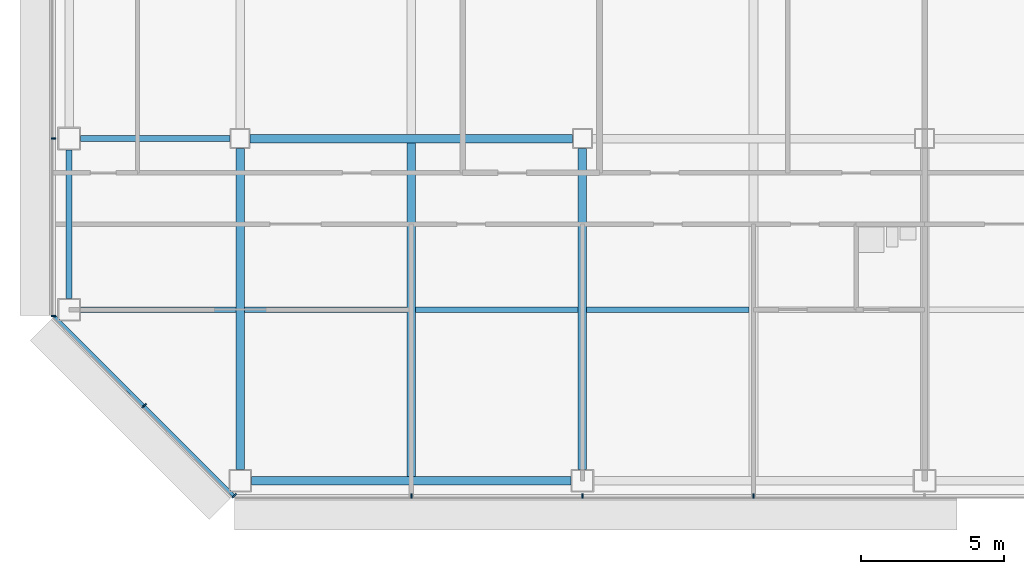
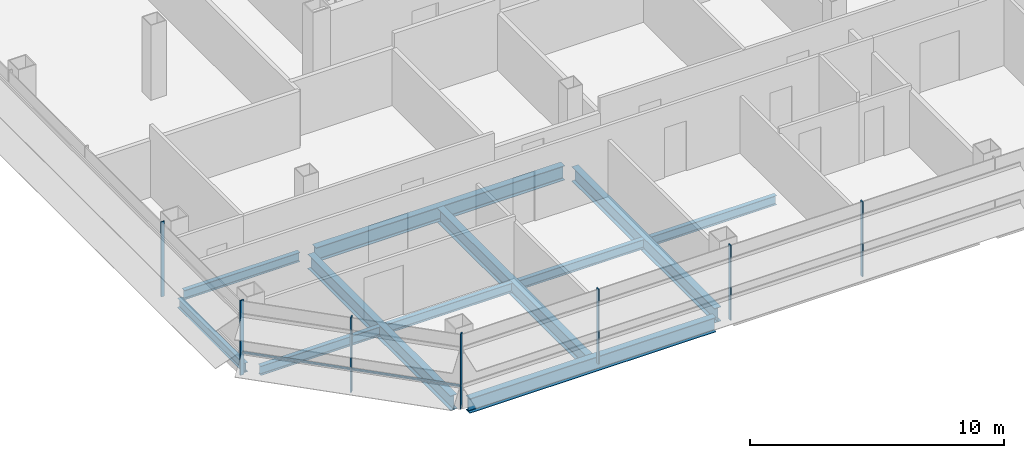
# One storey, part 2 of 25: 11 beams, 8 members, 3 elements without a shape of their own.
"""IFC4 building model written with IfcOpenShell, lengths in metres."""

from ifc_helpers import new_model, si_unit, direction, frame, origin, origin_2d, place, context, subcontext, project, spatial, rectangle, i_section, extrude, material, material_profile, profile_set, type_object, element, aggregate, save


model = new_model("IFC4")

# Units and contexts
model_context = context("Model", 3, precision=1e-05, world=origin(), true_north=direction((0.0, 1.0)))
body_context = subcontext(model_context, "Body", "Model", "MODEL_VIEW")
ifc_project = project(units=[si_unit("LENGTHUNIT", "METRE"), si_unit("AREAUNIT", "SQUARE_METRE"), si_unit("VOLUMEUNIT", "CUBIC_METRE"), si_unit("PLANEANGLEUNIT", "RADIAN"), si_unit("MASSUNIT", "GRAM", prefix="KILO")], contexts=[model_context])

# Site, building, storey
site_placement = place(None, origin())
site = spatial("IfcSite", under=ifc_project, at=site_placement, CompositionType="ELEMENT")
building_placement = place(site_placement, origin())
building = spatial("IfcBuilding", under=site, at=building_placement, Name="Sorahane Residences", CompositionType="ELEMENT")
storey_placement = place(building_placement, frame((0.0, 0.0, 99.800048828125)))
storey = spatial("IfcBuildingStorey", under=building, at=storey_placement, Name="L21", CompositionType="ELEMENT", Elevation=99.800048828125)

# Curtain wall, members
ifc_material_1 = material(Name="Dark low-e glass and black anodised aluminium", Category="aluminium")
curtain_wall_type_1 = type_object("IfcCurtainWallType", Name="Curtain wall CW-1 Typical unitised wall", PredefinedType="NOTDEFINED", material=ifc_material_1)
curtain_wall_1_placement = place(storey_placement, origin())
curtain_wall_1 = element("IfcCurtainWall", 1, at=curtain_wall_1_placement, inside=storey, type_object=curtain_wall_type_1, Name="CW-1 curtain wall L21 S1", PredefinedType="NOTDEFINED")
ifc_material_2 = material(Name="Black anodised aluminium", Category="aluminium")
ifc_material_profile_1 = material_profile(ifc_material_2, rectangle(XDim=0.159912109375, YDim=0.050048828125, at=origin_2d()), Name="Curtain wall mullion CW-1 black anodised aluminium 50x160")
ifc_profile_set_1 = profile_set([ifc_material_profile_1], Name="Black anodised aluminium")
member_type_1 = type_object("IfcMemberType", Name="Curtain wall mullion CW-1 black anodised aluminium 50x160", PredefinedType="MULLION", material=ifc_profile_set_1)
member_1_placement = place(storey_placement, frame((6.0, -0.5400390625, -0.179931640625), z_axis=(0.0, 0.0, 1.0), x_axis=(0.0, -1.0, 0.0)))
member_1 = element("IfcMember", 2, at=member_1_placement, type_object=member_type_1, Name="CW-1 mullion L21 S1.2", PredefinedType="MULLION", context=body_context, shape_type="SweptSolid", body=[
    extrude(rectangle(XDim=0.159912109375, YDim=0.050048828125, at=origin_2d()), origin(), (0.0, 0.0, 1.0), 3.599853515625),
])
member_2_placement = place(storey_placement, frame((12.0, -0.5400390625, -0.179931640625), z_axis=(0.0, 0.0, 1.0), x_axis=(0.0, -1.0, 0.0)))
member_2 = element("IfcMember", 3, at=member_2_placement, type_object=member_type_1, Name="CW-1 mullion L21 S1.3", PredefinedType="MULLION", context=body_context, shape_type="SweptSolid", body=[
    extrude(rectangle(XDim=0.159912109375, YDim=0.050048828125, at=origin_2d()), origin(), (0.0, 0.0, 1.0), 3.599853515625),
])
member_3_placement = place(storey_placement, frame((18.0, -0.5400390625, -0.179931640625), z_axis=(0.0, 0.0, 1.0), x_axis=(0.0, -1.0, 0.0)))
member_3 = element("IfcMember", 4, at=member_3_placement, type_object=member_type_1, Name="CW-1 mullion L21 S1.4", PredefinedType="MULLION", context=body_context, shape_type="SweptSolid", body=[
    extrude(rectangle(XDim=0.159912109375, YDim=0.050048828125, at=origin_2d()), origin(), (0.0, 0.0, 1.0), 3.599853515625),
])
aggregate(curtain_wall_1, [member_1, member_2, member_3])

curtain_wall_2_placement = place(storey_placement, origin())
curtain_wall_2 = element("IfcCurtainWall", 5, at=curtain_wall_2_placement, inside=storey, type_object=curtain_wall_type_1, Name="CW-1 curtain wall L21 W1", PredefinedType="NOTDEFINED")
member_4_placement = place(storey_placement, frame((-6.5400390625, 12.0, -0.179931640625), z_axis=(0.0, 0.0, 1.0), x_axis=(-1.0, 0.0, 0.0)))
member_4 = element("IfcMember", 6, at=member_4_placement, type_object=member_type_1, Name="CW-1 mullion L21 W1.6", PredefinedType="MULLION", context=body_context, shape_type="SweptSolid", body=[
    extrude(rectangle(XDim=0.159912109375, YDim=0.050048828125, at=origin_2d()), origin(), (0.0, 0.0, 1.0), 3.599853515625),
])
member_5_placement = place(storey_placement, frame((-6.5400390625, 5.7763671875, -0.179931640625), z_axis=(0.0, 0.0, 1.0), x_axis=(-1.0, 0.0, 0.0)))
member_5 = element("IfcMember", 7, at=member_5_placement, type_object=member_type_1, Name="CW-1 mullion L21 W1.7", PredefinedType="MULLION", context=body_context, shape_type="SweptSolid", body=[
    extrude(rectangle(XDim=0.159912109375, YDim=0.050048828125, at=origin_2d()), origin(), (0.0, 0.0, 1.0), 3.599853515625),
])
aggregate(curtain_wall_2, [member_4, member_5])

ifc_material_3 = material(Name="Dark low-e glass and black anodised aluminium", Category="aluminium")
curtain_wall_type_2 = type_object("IfcCurtainWallType", Name="Curtain wall CW-2 Chamfer unitised wall", PredefinedType="NOTDEFINED", material=ifc_material_3)
curtain_wall_3_placement = place(storey_placement, origin())
curtain_wall_3 = element("IfcCurtainWall", 8, at=curtain_wall_3_placement, inside=storey, type_object=curtain_wall_type_2, Name="CW-2 curtain wall L21 SW1", PredefinedType="NOTDEFINED")
ifc_material_4 = material(Name="Black anodised aluminium", Category="aluminium")
ifc_material_profile_2 = material_profile(ifc_material_4, rectangle(XDim=0.199951171875, YDim=0.050048828125, at=origin_2d()), Name="Curtain wall mullion CW-2 black anodised aluminium 50x200")
ifc_profile_set_2 = profile_set([ifc_material_profile_2], Name="Black anodised aluminium")
member_type_2 = type_object("IfcMemberType", Name="Curtain wall mullion CW-2 black anodised aluminium 50x200", PredefinedType="MULLION", material=ifc_profile_set_2)
member_6_placement = place(storey_placement, frame((-3.36767578125, 2.63232421875, -0.179931640625), z_axis=(0.0, 0.0, 1.0), x_axis=(-0.707106781187, -0.707106781187, 0.0)))
member_6 = element("IfcMember", 9, at=member_6_placement, type_object=member_type_2, Name="CW-2 mullion L21 SW1.2", PredefinedType="MULLION", context=body_context, shape_type="SweptSolid", body=[
    extrude(rectangle(XDim=0.199951171875, YDim=0.050048828125, at=origin_2d()), origin(), (0.0, 0.0, 1.0), 3.599853515625),
])
member_7_placement = place(storey_placement, frame((-0.209716796875, -0.525634765625, -0.179931640625), z_axis=(0.0, 0.0, 1.0), x_axis=(-0.707106781187, -0.707106781187, 0.0)))
member_7 = element("IfcMember", 10, at=member_7_placement, type_object=member_type_2, Name="CW-2 mullion L21 SW1.3", PredefinedType="MULLION", context=body_context, shape_type="SweptSolid", body=[
    extrude(rectangle(XDim=0.199951171875, YDim=0.050048828125, at=origin_2d()), origin(), (0.0, 0.0, 1.0), 3.599853515625),
])
ifc_material_5 = material(Name="Black anodised aluminium", Category="aluminium")
ifc_material_profile_3 = material_profile(ifc_material_5, rectangle(XDim=0.10009765625, YDim=0.06005859375, at=origin_2d()), Name="Curtain wall transom CW-2 black anodised aluminium 60x100")
ifc_profile_set_3 = profile_set([ifc_material_profile_3], Name="Black anodised aluminium")
member_type_3 = type_object("IfcMemberType", Name="Curtain wall transom CW-2 black anodised aluminium 60x100", PredefinedType="USERDEFINED", material=ifc_profile_set_3)
member_8_placement = place(storey_placement, frame((-6.51513671875, 5.765625, 0.89990234375), z_axis=(0.707106781187, -0.707106781187, 0.0), x_axis=(0.707106781187, 0.707106781187, 0.0)))
member_8 = element("IfcMember", 11, at=member_8_placement, type_object=member_type_3, Name="CW-2 transom L21 SW1", ObjectType="TRANSOM", PredefinedType="USERDEFINED", context=body_context, shape_type="SweptSolid", body=[
    extrude(rectangle(XDim=0.10009765625, YDim=0.06005859375, at=origin_2d()), origin(), (0.0, 0.0, 1.0), 8.88232421875),
])
aggregate(curtain_wall_3, [member_6, member_7, member_8])

# Beams
ifc_material_6 = material(Name="Steel Q355B", Category="steel")
ifc_material_profile_4 = material_profile(ifc_material_6, i_section(OverallWidth=0.199951171875, OverallDepth=0.449951171875, WebThickness=0.009033203125, FlangeThickness=0.013916015625, FilletRadius=0.02001953125, at=origin_2d()), Name="HN 450x200x9x14")
ifc_profile_set_4 = profile_set([ifc_material_profile_4], Name="Steel Q355B")
beam_type_1 = type_object("IfcBeamType", Name="Steel floor beam HN 450x200x9x14 Q355B", PredefinedType="BEAM", material=ifc_profile_set_4)
beam_1_placement = place(storey_placement, frame((-5.60009765625, 12.0, -0.405029296875), z_axis=(1.0, 0.0, 0.0), x_axis=(0.0, 1.0, 0.0)))
element("IfcBeam", 12, at=beam_1_placement, inside=storey, type_object=beam_type_1, Name="Beam L21 005", PredefinedType="BEAM", context=body_context, shape_type="SweptSolid", body=[
    extrude(i_section(OverallWidth=0.199951171875, OverallDepth=0.449951171875, WebThickness=0.009033203125, FlangeThickness=0.013916015625, FilletRadius=0.02001953125, at=origin_2d()), origin(), (0.0, 0.0, 1.0), 5.25),
])
beam_2_placement = place(storey_placement, frame((-6.0, 6.39990234375, -0.405029296875), z_axis=(0.0, 1.0, 0.0), x_axis=(-1.0, 0.0, 0.0)))
element("IfcBeam", 13, at=beam_2_placement, inside=storey, type_object=beam_type_1, Name="Beam L21 020", PredefinedType="BEAM", context=body_context, shape_type="SweptSolid", body=[
    extrude(i_section(OverallWidth=0.199951171875, OverallDepth=0.449951171875, WebThickness=0.009033203125, FlangeThickness=0.013916015625, FilletRadius=0.02001953125, at=origin_2d()), origin(), (0.0, 0.0, 1.0), 5.2001953125),
])
beam_3_placement = place(storey_placement, frame((-5.60009765625, 6.0, -0.405029296875), z_axis=(1.0, 0.0, 0.0), x_axis=(0.0, 1.0, 0.0)))
element("IfcBeam", 14, at=beam_3_placement, inside=storey, type_object=beam_type_1, Name="Beam L21 068", PredefinedType="BEAM", context=body_context, shape_type="SweptSolid", body=[
    extrude(i_section(OverallWidth=0.199951171875, OverallDepth=0.449951171875, WebThickness=0.009033203125, FlangeThickness=0.013916015625, FilletRadius=0.02001953125, at=origin_2d()), origin(), (0.0, 0.0, 1.0), 5.4501953125),
])
for number, where, z_axis, x_axis, name in (
    (15, (0.14990234375, 6.0, -0.405029296875), (1.0, 0.0, 0.0), (0.0, 1.0, 0.0), "Beam L21 069"),
    (16, (6.14990234375, 6.0, -0.405029296875), (1.0, 0.0, 0.0), (0.0, 1.0, 0.0), "Beam L21 070"),
    (17, (12.14990234375, 6.0, -0.405029296875), (1.0, 0.0, 0.0), (0.0, 1.0, 0.0), "Beam L21 071"),
):
    element("IfcBeam", number, at=place(storey_placement, frame(where, z_axis=z_axis, x_axis=x_axis)), inside=storey, type_object=beam_type_1, Name=name, PredefinedType="BEAM", context=body_context, shape_type="SweptSolid", body=[
        extrude(i_section(OverallWidth=0.199951171875, OverallDepth=0.449951171875, WebThickness=0.009033203125, FlangeThickness=0.013916015625, FilletRadius=0.02001953125, at=origin_2d()), origin(), (0.0, 0.0, 1.0), 5.7001953125),
    ])
ifc_material_7 = material(Name="Steel Q355B", Category="steel")
ifc_material_profile_5 = material_profile(ifc_material_7, i_section(OverallWidth=0.300048828125, OverallDepth=0.699951171875, WebThickness=0.012939453125, FlangeThickness=0.02392578125, FilletRadius=0.028076171875, at=origin_2d()), Name="HN 700x300x13x24")
ifc_profile_set_5 = profile_set([ifc_material_profile_5], Name="Steel Q355B")
beam_type_2 = type_object("IfcBeamType", Name="Steel floor beam HN 700x300x13x24 Q355B", PredefinedType="BEAM", material=ifc_profile_set_5)
beam_4_placement = place(storey_placement, frame((0.39990234375, 0.0, -0.530029296875), z_axis=(1.0, 0.0, 0.0), x_axis=(0.0, 1.0, 0.0)))
element("IfcBeam", 18, at=beam_4_placement, inside=storey, type_object=beam_type_2, Name="Beam L21 000", PredefinedType="BEAM", context=body_context, shape_type="SweptSolid", body=[
    extrude(i_section(OverallWidth=0.300048828125, OverallDepth=0.699951171875, WebThickness=0.012939453125, FlangeThickness=0.02392578125, FilletRadius=0.028076171875, at=origin_2d()), origin(), (0.0, 0.0, 1.0), 11.2001953125),
])
beam_5_placement = place(storey_placement, frame((0.35009765625, 12.0, -0.530029296875), z_axis=(1.0, 0.0, 0.0), x_axis=(0.0, 1.0, 0.0)))
element("IfcBeam", 19, at=beam_5_placement, inside=storey, type_object=beam_type_2, Name="Beam L21 006", PredefinedType="BEAM", context=body_context, shape_type="SweptSolid", body=[
    extrude(i_section(OverallWidth=0.300048828125, OverallDepth=0.699951171875, WebThickness=0.012939453125, FlangeThickness=0.02392578125, FilletRadius=0.028076171875, at=origin_2d()), origin(), (0.0, 0.0, 1.0), 11.2998046875),
])
beam_6_placement = place(storey_placement, frame((0.0, 0.39990234375, -0.530029296875), z_axis=(0.0, 1.0, 0.0), x_axis=(-1.0, 0.0, 0.0)))
element("IfcBeam", 20, at=beam_6_placement, inside=storey, type_object=beam_type_2, Name="Beam L21 024", PredefinedType="BEAM", context=body_context, shape_type="SweptSolid", body=[
    extrude(i_section(OverallWidth=0.300048828125, OverallDepth=0.699951171875, WebThickness=0.012939453125, FlangeThickness=0.02392578125, FilletRadius=0.028076171875, at=origin_2d()), origin(), (0.0, 0.0, 1.0), 11.25),
])
beam_7_placement = place(storey_placement, frame((6.0, 0.14990234375, -0.530029296875), z_axis=(0.0, 1.0, 0.0), x_axis=(-1.0, 0.0, 0.0)))
element("IfcBeam", 21, at=beam_7_placement, inside=storey, type_object=beam_type_2, Name="Beam L21 028", PredefinedType="BEAM", context=body_context, shape_type="SweptSolid", body=[
    extrude(i_section(OverallWidth=0.300048828125, OverallDepth=0.699951171875, WebThickness=0.012939453125, FlangeThickness=0.02392578125, FilletRadius=0.028076171875, at=origin_2d()), origin(), (0.0, 0.0, 1.0), 11.7001953125),
])
beam_8_placement = place(storey_placement, frame((12.0, 0.39990234375, -0.530029296875), z_axis=(0.0, 1.0, 0.0), x_axis=(-1.0, 0.0, 0.0)))
element("IfcBeam", 22, at=beam_8_placement, inside=storey, type_object=beam_type_2, Name="Beam L21 034", PredefinedType="BEAM", context=body_context, shape_type="SweptSolid", body=[
    extrude(i_section(OverallWidth=0.300048828125, OverallDepth=0.699951171875, WebThickness=0.012939453125, FlangeThickness=0.02392578125, FilletRadius=0.028076171875, at=origin_2d()), origin(), (0.0, 0.0, 1.0), 11.25),
])

save(model, "model.ifc")
